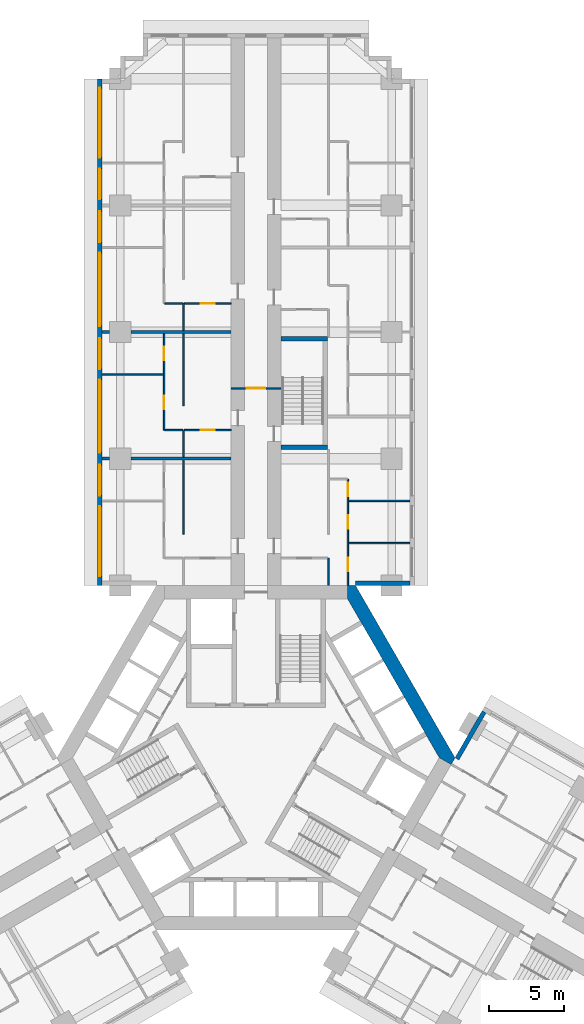
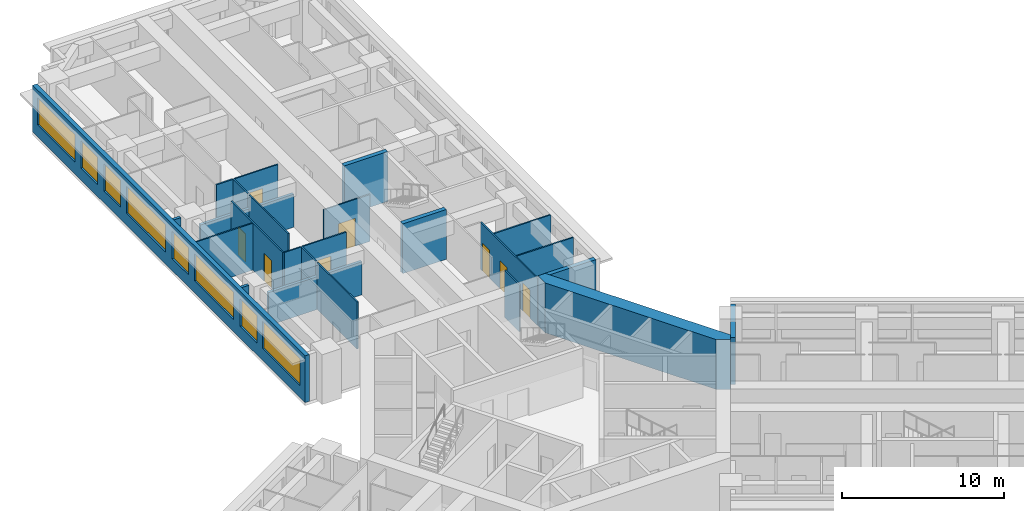
# One storey, part 9 of 16: 25 walls, 8 doors, 8 windows, 16 openings.
"""IFC4 building model written with IfcOpenShell, lengths in metres."""

from ifc_helpers import new_model, si_unit, direction, frame, frame_2d, origin, place, context, subcontext, project, spatial, polyline, rectangle, outline, extrude, material, layer, layer_set, type_object, element, fill, save


model = new_model("IFC4")

# Units and contexts
model_context = context("Model", 3, precision=1e-05, world=origin(), true_north=direction((0.0, 1.0)))
body_context = subcontext(model_context, "Body", "Model", "MODEL_VIEW")
ifc_project = project(units=[si_unit("LENGTHUNIT", "METRE"), si_unit("AREAUNIT", "SQUARE_METRE"), si_unit("VOLUMEUNIT", "CUBIC_METRE"), si_unit("PLANEANGLEUNIT", "RADIAN"), si_unit("MASSUNIT", "GRAM", prefix="KILO")], contexts=[model_context])

# Site, building, storey
site_placement = place(None, origin())
site = spatial("IfcSite", under=ifc_project, at=site_placement, CompositionType="ELEMENT")
building_placement = place(site_placement, origin())
building = spatial("IfcBuilding", under=site, at=building_placement, Name="Impinga Residences", CompositionType="ELEMENT")
storey_placement = place(building_placement, frame((0.0, 0.0, 74.75)))
storey = spatial("IfcBuildingStorey", under=building, at=storey_placement, Name="L18", CompositionType="ELEMENT", Elevation=74.75)

# Wall, opening, door
ifc_material_1 = material(Name="Concrete blockwork", Category="masonry")
ifc_layer_1 = layer(ifc_material_1, 0.10009765625)
ifc_layer_set_1 = layer_set([ifc_layer_1], Name="CP1 core room partition, blockwork 100")
wall_type_1 = type_object("IfcWallType", Name="CP1 core room partition, blockwork 100", PredefinedType="PARTITIONING", material=ifc_layer_set_1)
wall_1_placement = place(storey_placement, frame((-1.64990234375, 24.5, 0.0), z_axis=(0.0, 0.0, 1.0), x_axis=(1.0, 0.0, 0.0)))
wall_1 = element("IfcWall", 1, at=wall_1_placement, inside=storey, type_object=wall_type_1, Name="Core room partition, blockwork L18:N:SCR", PredefinedType="PARTITIONING", context=body_context, shape_type="SweptSolid", body=[
    extrude(rectangle(XDim=3.2998046875, YDim=0.10009765625, at=frame_2d((1.64990234375, 0.0))), origin(), (0.0, 0.0, 1.0), 3.530029296875),
])
opening_1_placement = place(wall_1_placement, frame((1.050048828125, 0.0, 0.0)))
opening_1 = element("IfcOpeningElement", 2, at=opening_1_placement, cuts=wall_1, Name="Opening D3", PredefinedType="OPENING", context=body_context, shape_type="SweptSolid", body=[
    extrude(rectangle(XDim=1.199951171875, YDim=2.10009765625, at=frame_2d((0.60009765625, 1.050048828125))), frame((0.0, 0.06005859375, 0.0), z_axis=(0.0, -1.0, 0.0), x_axis=(1.0, 0.0, 0.0)), (0.0, 0.0, 1.0), 0.1201171875),
])
ifc_material_2 = material(Name="Timber door set", Category="wood")
door_type_1 = type_object("IfcDoorType", Name="D3 room door, leaf and a half 1200x2100", OperationType="DOUBLE_SWING_LEFT", PredefinedType="DOOR", material=ifc_material_2)
door_1_placement = place(opening_1_placement, origin())
door_1 = element("IfcDoor", 3, at=door_1_placement, inside=storey, type_object=door_type_1, Name="Corridor smoke door N", OperationType="DOUBLE_SWING_LEFT", OverallHeight=2.10009765625, OverallWidth=1.199951171875, PredefinedType="DOOR", context=body_context, shape_type="SweptSolid", body=[
    extrude(rectangle(XDim=1.199951171875, YDim=2.10009765625, at=frame_2d((0.60009765625, 1.050048828125))), frame((0.0, 0.02490234375, 0.0), z_axis=(0.0, -1.0, 0.0), x_axis=(1.0, 0.0, 0.0)), (0.0, 0.0, 1.0), 0.050048828125),
])
fill(opening_1, door_1)

# Wall, openings, windows
ifc_material_3 = material(Name="Terracotta rainscreen on blockwork", Category="masonry")
ifc_layer_2 = layer(ifc_material_3, 0.300048828125)
ifc_layer_set_2 = layer_set([ifc_layer_2], Name="EW1 external wall, terracotta rainscreen on blockwork 300")
wall_type_2 = type_object("IfcWallType", Name="EW1 external wall, terracotta rainscreen on blockwork 300", PredefinedType="SOLIDWALL", material=ifc_layer_set_2)
wall_2_placement = place(storey_placement, frame((-10.35009765625, 11.431640625, 0.0), z_axis=(0.0, 0.0, 1.0), x_axis=(0.0, 1.0, 0.0)))
wall_2 = element("IfcWall", 4, at=wall_2_placement, inside=storey, type_object=wall_type_2, Name="External wall EW1 L18", PredefinedType="SOLIDWALL", context=body_context, shape_type="SweptSolid", body=[
    extrude(rectangle(XDim=33.599853515625, YDim=0.300048828125, at=frame_2d((16.7998046875, 0.0))), origin(), (0.0, 0.0, 1.0), 3.530029296875),
])
opening_2_placement = place(wall_2_placement, frame((0.60009765625, 0.0, 0.89990234375)))
opening_2 = element("IfcOpeningElement", 5, at=opening_2_placement, cuts=wall_2, Name="Opening W10", PredefinedType="OPENING", context=body_context, shape_type="SweptSolid", body=[
    extrude(rectangle(XDim=4.64990234375, YDim=2.050048828125, at=frame_2d((2.324951171875, 1.02490234375))), frame((0.0, 0.159912109375, 0.0), z_axis=(0.0, -1.0, 0.0), x_axis=(1.0, 0.0, 0.0)), (0.0, 0.0, 1.0), 0.320068359375),
])
opening_3_placement = place(wall_2_placement, frame((5.949951171875, 0.0, 0.89990234375)))
opening_3 = element("IfcOpeningElement", 6, at=opening_3_placement, cuts=wall_2, Name="Opening W14", PredefinedType="OPENING", context=body_context, shape_type="SweptSolid", body=[
    extrude(rectangle(XDim=2.050048828125, YDim=2.050048828125, at=frame_2d((1.02490234375, 1.02490234375))), frame((0.0, 0.159912109375, 0.0), z_axis=(0.0, -1.0, 0.0), x_axis=(1.0, 0.0, 0.0)), (0.0, 0.0, 1.0), 0.320068359375),
])
opening_4_placement = place(wall_2_placement, frame((8.800048828125, 0.0, 0.89990234375)))
opening_4 = element("IfcOpeningElement", 7, at=opening_4_placement, cuts=wall_2, Name="Opening W6", PredefinedType="OPENING", context=body_context, shape_type="SweptSolid", body=[
    extrude(rectangle(XDim=4.85009765625, YDim=2.050048828125, at=frame_2d((2.425048828125, 1.02490234375))), frame((0.0, 0.159912109375, 0.0), z_axis=(0.0, -1.0, 0.0), x_axis=(1.0, 0.0, 0.0)), (0.0, 0.0, 1.0), 0.320068359375),
])
opening_5_placement = place(wall_2_placement, frame((14.35009765625, 0.0, 0.89990234375)))
opening_5 = element("IfcOpeningElement", 8, at=opening_5_placement, cuts=wall_2, Name="Opening W14", PredefinedType="OPENING", context=body_context, shape_type="SweptSolid", body=[
    extrude(rectangle(XDim=2.050048828125, YDim=2.050048828125, at=frame_2d((1.02490234375, 1.02490234375))), frame((0.0, 0.159912109375, 0.0), z_axis=(0.0, -1.0, 0.0), x_axis=(1.0, 0.0, 0.0)), (0.0, 0.0, 1.0), 0.320068359375),
])
opening_6_placement = place(wall_2_placement, frame((17.199951171875, 0.0, 0.89990234375)))
opening_6 = element("IfcOpeningElement", 9, at=opening_6_placement, cuts=wall_2, Name="Opening W6", PredefinedType="OPENING", context=body_context, shape_type="SweptSolid", body=[
    extrude(rectangle(XDim=4.85009765625, YDim=2.050048828125, at=frame_2d((2.425048828125, 1.02490234375))), frame((0.0, 0.159912109375, 0.0), z_axis=(0.0, -1.0, 0.0), x_axis=(1.0, 0.0, 0.0)), (0.0, 0.0, 1.0), 0.320068359375),
])
opening_7_placement = place(wall_2_placement, frame((22.75, 0.0, 0.89990234375)))
opening_7 = element("IfcOpeningElement", 10, at=opening_7_placement, cuts=wall_2, Name="Opening W14", PredefinedType="OPENING", context=body_context, shape_type="SweptSolid", body=[
    extrude(rectangle(XDim=2.050048828125, YDim=2.050048828125, at=frame_2d((1.02490234375, 1.02490234375))), frame((0.0, 0.159912109375, 0.0), z_axis=(0.0, -1.0, 0.0), x_axis=(1.0, 0.0, 0.0)), (0.0, 0.0, 1.0), 0.320068359375),
])
opening_8_placement = place(wall_2_placement, frame((25.60009765625, 0.0, 0.89990234375)))
opening_8 = element("IfcOpeningElement", 11, at=opening_8_placement, cuts=wall_2, Name="Opening W14", PredefinedType="OPENING", context=body_context, shape_type="SweptSolid", body=[
    extrude(rectangle(XDim=2.050048828125, YDim=2.050048828125, at=frame_2d((1.02490234375, 1.02490234375))), frame((0.0, 0.159912109375, 0.0), z_axis=(0.0, -1.0, 0.0), x_axis=(1.0, 0.0, 0.0)), (0.0, 0.0, 1.0), 0.320068359375),
])
opening_9_placement = place(wall_2_placement, frame((28.35009765625, 0.0, 0.89990234375)))
opening_9 = element("IfcOpeningElement", 12, at=opening_9_placement, cuts=wall_2, Name="Opening W10", PredefinedType="OPENING", context=body_context, shape_type="SweptSolid", body=[
    extrude(rectangle(XDim=4.64990234375, YDim=2.050048828125, at=frame_2d((2.324951171875, 1.02490234375))), frame((0.0, 0.159912109375, 0.0), z_axis=(0.0, -1.0, 0.0), x_axis=(1.0, 0.0, 0.0)), (0.0, 0.0, 1.0), 0.320068359375),
])
ifc_material_4 = material(Name="Aluminium window, clear double glazing", Category="aluminium")
window_type_1 = type_object("IfcWindowType", Name="W10 ribbon window 4650x2050", PartitioningType="SINGLE_PANEL", PredefinedType="WINDOW", material=ifc_material_4)
window_1_placement = place(opening_2_placement, origin())
window_1 = element("IfcWindow", 13, at=window_1_placement, inside=storey, type_object=window_type_1, Name="Window L18", OverallHeight=2.050048828125, OverallWidth=4.64990234375, PartitioningType="SINGLE_PANEL", PredefinedType="WINDOW", context=body_context, shape_type="SweptSolid", body=[
    extrude(rectangle(XDim=4.64990234375, YDim=2.050048828125, at=frame_2d((2.324951171875, 1.02490234375))), frame((0.0, 0.030029296875, 0.0), z_axis=(0.0, -1.0, 0.0), x_axis=(1.0, 0.0, 0.0)), (0.0, 0.0, 1.0), 0.06005859375),
])
fill(opening_2, window_1)
window_2_placement = place(opening_9_placement, origin())
window_2 = element("IfcWindow", 14, at=window_2_placement, inside=storey, type_object=window_type_1, Name="Window L18", OverallHeight=2.050048828125, OverallWidth=4.64990234375, PartitioningType="SINGLE_PANEL", PredefinedType="WINDOW", context=body_context, shape_type="SweptSolid", body=[
    extrude(rectangle(XDim=4.64990234375, YDim=2.050048828125, at=frame_2d((2.324951171875, 1.02490234375))), frame((0.0, 0.030029296875, 0.0), z_axis=(0.0, -1.0, 0.0), x_axis=(1.0, 0.0, 0.0)), (0.0, 0.0, 1.0), 0.06005859375),
])
fill(opening_9, window_2)
window_type_2 = type_object("IfcWindowType", Name="W14 ribbon window 2050x2050", PartitioningType="SINGLE_PANEL", PredefinedType="WINDOW", material=ifc_material_4)
window_3_placement = place(opening_3_placement, origin())
window_3 = element("IfcWindow", 15, at=window_3_placement, inside=storey, type_object=window_type_2, Name="Window L18", OverallHeight=2.050048828125, OverallWidth=2.050048828125, PartitioningType="SINGLE_PANEL", PredefinedType="WINDOW", context=body_context, shape_type="SweptSolid", body=[
    extrude(rectangle(XDim=2.050048828125, YDim=2.050048828125, at=frame_2d((1.02490234375, 1.02490234375))), frame((0.0, 0.030029296875, 0.0), z_axis=(0.0, -1.0, 0.0), x_axis=(1.0, 0.0, 0.0)), (0.0, 0.0, 1.0), 0.06005859375),
])
fill(opening_3, window_3)
window_4_placement = place(opening_5_placement, origin())
window_4 = element("IfcWindow", 16, at=window_4_placement, inside=storey, type_object=window_type_2, Name="Window L18", OverallHeight=2.050048828125, OverallWidth=2.050048828125, PartitioningType="SINGLE_PANEL", PredefinedType="WINDOW", context=body_context, shape_type="SweptSolid", body=[
    extrude(rectangle(XDim=2.050048828125, YDim=2.050048828125, at=frame_2d((1.02490234375, 1.02490234375))), frame((0.0, 0.030029296875, 0.0), z_axis=(0.0, -1.0, 0.0), x_axis=(1.0, 0.0, 0.0)), (0.0, 0.0, 1.0), 0.06005859375),
])
fill(opening_5, window_4)
window_5_placement = place(opening_7_placement, origin())
window_5 = element("IfcWindow", 17, at=window_5_placement, inside=storey, type_object=window_type_2, Name="Window L18", OverallHeight=2.050048828125, OverallWidth=2.050048828125, PartitioningType="SINGLE_PANEL", PredefinedType="WINDOW", context=body_context, shape_type="SweptSolid", body=[
    extrude(rectangle(XDim=2.050048828125, YDim=2.050048828125, at=frame_2d((1.02490234375, 1.02490234375))), frame((0.0, 0.030029296875, 0.0), z_axis=(0.0, -1.0, 0.0), x_axis=(1.0, 0.0, 0.0)), (0.0, 0.0, 1.0), 0.06005859375),
])
fill(opening_7, window_5)
window_6_placement = place(opening_8_placement, origin())
window_6 = element("IfcWindow", 18, at=window_6_placement, inside=storey, type_object=window_type_2, Name="Window L18", OverallHeight=2.050048828125, OverallWidth=2.050048828125, PartitioningType="SINGLE_PANEL", PredefinedType="WINDOW", context=body_context, shape_type="SweptSolid", body=[
    extrude(rectangle(XDim=2.050048828125, YDim=2.050048828125, at=frame_2d((1.02490234375, 1.02490234375))), frame((0.0, 0.030029296875, 0.0), z_axis=(0.0, -1.0, 0.0), x_axis=(1.0, 0.0, 0.0)), (0.0, 0.0, 1.0), 0.06005859375),
])
fill(opening_8, window_6)
window_type_3 = type_object("IfcWindowType", Name="W6 ribbon window 4850x2050", PartitioningType="SINGLE_PANEL", PredefinedType="WINDOW", material=ifc_material_4)
window_7_placement = place(opening_4_placement, origin())
window_7 = element("IfcWindow", 19, at=window_7_placement, inside=storey, type_object=window_type_3, Name="Window L18", OverallHeight=2.050048828125, OverallWidth=4.85009765625, PartitioningType="SINGLE_PANEL", PredefinedType="WINDOW", context=body_context, shape_type="SweptSolid", body=[
    extrude(rectangle(XDim=4.85009765625, YDim=2.050048828125, at=frame_2d((2.425048828125, 1.02490234375))), frame((0.0, 0.030029296875, 0.0), z_axis=(0.0, -1.0, 0.0), x_axis=(1.0, 0.0, 0.0)), (0.0, 0.0, 1.0), 0.06005859375),
])
fill(opening_4, window_7)
window_8_placement = place(opening_6_placement, origin())
window_8 = element("IfcWindow", 20, at=window_8_placement, inside=storey, type_object=window_type_3, Name="Window L18", OverallHeight=2.050048828125, OverallWidth=4.85009765625, PartitioningType="SINGLE_PANEL", PredefinedType="WINDOW", context=body_context, shape_type="SweptSolid", body=[
    extrude(rectangle(XDim=4.85009765625, YDim=2.050048828125, at=frame_2d((2.425048828125, 1.02490234375))), frame((0.0, 0.030029296875, 0.0), z_axis=(0.0, -1.0, 0.0), x_axis=(1.0, 0.0, 0.0)), (0.0, 0.0, 1.0), 0.06005859375),
])
fill(opening_6, window_8)

# Walls
wall_3_placement = place(storey_placement, frame((10.199951171875, 11.58154296875, 0.0), z_axis=(0.0, 0.0, 1.0), x_axis=(-1.0, 0.0, 0.0)))
element("IfcWall", 21, at=wall_3_placement, inside=storey, type_object=wall_type_2, Name="External wall EW1 L18", PredefinedType="SOLIDWALL", context=body_context, shape_type="SweptSolid", body=[
    extrude(rectangle(XDim=3.599853515625, YDim=0.300048828125, at=frame_2d((1.7998046875, 0.0))), origin(), (0.0, 0.0, 1.0), 3.530029296875),
])
wall_4_placement = place(storey_placement, frame((13.329833984375, -0.074951171875, 0.0), z_axis=(0.0, 0.0, 1.0), x_axis=(0.500012057535, 0.866018442252, 0.0)))
element("IfcWall", 22, at=wall_4_placement, inside=storey, type_object=wall_type_2, Name="External wall EW1 L18", PredefinedType="SOLIDWALL", context=body_context, shape_type="SweptSolid", body=[
    extrude(rectangle(XDim=3.60009765625, YDim=0.300048828125, at=frame_2d((1.800048828125, 0.0))), origin(), (0.0, 0.0, 1.0), 3.530029296875),
])
ifc_material_5 = material(Name="Gypsum board on steel studs", Category="steel")
ifc_layer_3 = layer(ifc_material_5, 0.10009765625)
ifc_layer_set_3 = layer_set([ifc_layer_3], Name="Gypsum board on steel studs")
wall_type_3 = type_object("IfcWallType", Name="IP1 partition 100", PredefinedType="PARTITIONING", material=ifc_layer_set_3)
wall_5_placement = place(storey_placement, frame((-4.800048828125, 14.83154296875, 0.0), z_axis=(0.0, 0.0, 1.0), x_axis=(0.0, 1.0, 0.0)))
element("IfcWall", 23, at=wall_5_placement, inside=storey, type_object=wall_type_3, Name="Partition L18-NA1:DIV1", PredefinedType="PARTITIONING", context=body_context, shape_type="SweptSolid", body=[
    extrude(rectangle(XDim=4.89990234375, YDim=0.10009765625, at=frame_2d((2.449951171875, 0.0))), origin(), (0.0, 0.0, 1.0), 3.530029296875),
])
wall_6_placement = place(storey_placement, frame((-4.800048828125, 19.931640625, 0.0), z_axis=(0.0, 0.0, 1.0), x_axis=(0.0, 1.0, 0.0)))
element("IfcWall", 24, at=wall_6_placement, inside=storey, type_object=wall_type_3, Name="Partition L18-NA2:DIV0", PredefinedType="PARTITIONING", context=body_context, shape_type="SweptSolid", body=[
    extrude(rectangle(XDim=1.7998046875, YDim=0.10009765625, at=frame_2d((0.89990234375, 0.0))), origin(), (0.0, 0.0, 1.0), 3.530029296875),
])
wall_7_placement = place(storey_placement, frame((-4.800048828125, 23.33154296875, 0.0), z_axis=(0.0, 0.0, 1.0), x_axis=(0.0, 1.0, 0.0)))
element("IfcWall", 25, at=wall_7_placement, inside=storey, type_object=wall_type_3, Name="Partition L18-NA2:DIV1", PredefinedType="PARTITIONING", context=body_context, shape_type="SweptSolid", body=[
    extrude(rectangle(XDim=4.800048828125, YDim=0.10009765625, at=frame_2d((2.39990234375, 0.0))), origin(), (0.0, 0.0, 1.0), 3.530029296875),
])

# Wall, openings, doors
wall_8_placement = place(storey_placement, frame((-6.10009765625, 21.7314453125, 0.0), z_axis=(0.0, 0.0, 1.0), x_axis=(0.0, 1.0, 0.0)))
wall_8 = element("IfcWall", 26, at=wall_8_placement, inside=storey, type_object=wall_type_3, Name="Partition L18-NA2:STRIP", PredefinedType="PARTITIONING", context=body_context, shape_type="SweptSolid", body=[
    extrude(rectangle(XDim=6.400146484375, YDim=0.10009765625, at=frame_2d((3.2001953125, 0.0))), origin(), (0.0, 0.0, 1.0), 3.530029296875),
])
opening_10_placement = place(wall_8_placement, frame((1.375, 0.0, 0.0)))
opening_10 = element("IfcOpeningElement", 27, at=opening_10_placement, cuts=wall_8, Name="Opening D2", PredefinedType="OPENING", context=body_context, shape_type="SweptSolid", body=[
    extrude(rectangle(XDim=0.89990234375, YDim=2.10009765625, at=frame_2d((0.449951171875, 1.050048828125))), frame((0.0, 0.06005859375, 0.0), z_axis=(0.0, -1.0, 0.0), x_axis=(1.0, 0.0, 0.0)), (0.0, 0.0, 1.0), 0.1201171875),
])
opening_11_placement = place(wall_8_placement, frame((4.625, 0.0, 0.0)))
opening_11 = element("IfcOpeningElement", 28, at=opening_11_placement, cuts=wall_8, Name="Opening D2", PredefinedType="OPENING", context=body_context, shape_type="SweptSolid", body=[
    extrude(rectangle(XDim=0.89990234375, YDim=2.10009765625, at=frame_2d((0.449951171875, 1.050048828125))), frame((0.0, 0.06005859375, 0.0), z_axis=(0.0, -1.0, 0.0), x_axis=(1.0, 0.0, 0.0)), (0.0, 0.0, 1.0), 0.1201171875),
])
door_type_2 = type_object("IfcDoorType", Name="D2 internal door 900x2100", OperationType="SINGLE_SWING_LEFT", PredefinedType="DOOR", material=ifc_material_2)
door_2_placement = place(opening_10_placement, origin())
door_2 = element("IfcDoor", 29, at=door_2_placement, inside=storey, type_object=door_type_2, Name="Apartment L18-NA2 room door", OperationType="SINGLE_SWING_LEFT", OverallHeight=2.10009765625, OverallWidth=0.89990234375, PredefinedType="DOOR", context=body_context, shape_type="SweptSolid", body=[
    extrude(rectangle(XDim=0.89990234375, YDim=2.10009765625, at=frame_2d((0.449951171875, 1.050048828125))), frame((0.0, 0.02490234375, 0.0), z_axis=(0.0, -1.0, 0.0), x_axis=(1.0, 0.0, 0.0)), (0.0, 0.0, 1.0), 0.050048828125),
])
fill(opening_10, door_2)
door_3_placement = place(opening_11_placement, origin())
door_3 = element("IfcDoor", 30, at=door_3_placement, inside=storey, type_object=door_type_2, Name="Apartment L18-NA2 room door", OperationType="SINGLE_SWING_RIGHT", OverallHeight=2.10009765625, OverallWidth=0.89990234375, PredefinedType="DOOR", context=body_context, shape_type="SweptSolid", body=[
    extrude(rectangle(XDim=0.89990234375, YDim=2.10009765625, at=frame_2d((0.449951171875, 1.050048828125))), frame((0.0, 0.02490234375, 0.0), z_axis=(0.0, -1.0, 0.0), x_axis=(1.0, 0.0, 0.0)), (0.0, 0.0, 1.0), 0.050048828125),
])
fill(opening_11, door_3)

# Wall
wall_9_placement = place(storey_placement, frame((-4.85009765625, 21.7314453125, 0.0), z_axis=(0.0, 0.0, 1.0), x_axis=(-1.0, 0.0, 0.0)))
element("IfcWall", 31, at=wall_9_placement, inside=storey, type_object=wall_type_3, Name="Partition L18-NA2:SE0", PredefinedType="PARTITIONING", context=body_context, shape_type="SweptSolid", body=[
    extrude(rectangle(XDim=1.199951171875, YDim=0.10009765625, at=frame_2d((0.60009765625, 0.0))), origin(), (0.0, 0.0, 1.0), 3.530029296875),
])

# Wall, opening, door
wall_10_placement = place(storey_placement, frame((-1.64990234375, 21.7314453125, 0.0), z_axis=(0.0, 0.0, 1.0), x_axis=(-1.0, 0.0, 0.0)))
wall_10 = element("IfcWall", 32, at=wall_10_placement, inside=storey, type_object=wall_type_3, Name="Partition L18-NA2:IB1", PredefinedType="PARTITIONING", context=body_context, shape_type="SweptSolid", body=[
    extrude(rectangle(XDim=3.10009765625, YDim=0.10009765625, at=frame_2d((1.550048828125, 0.0))), origin(), (0.0, 0.0, 1.0), 3.530029296875),
])
opening_12_placement = place(wall_10_placement, frame((1.10009765625, 0.0, 0.0)))
opening_12 = element("IfcOpeningElement", 33, at=opening_12_placement, cuts=wall_10, Name="Opening D2", PredefinedType="OPENING", context=body_context, shape_type="SweptSolid", body=[
    extrude(rectangle(XDim=0.89990234375, YDim=2.10009765625, at=frame_2d((0.449951171875, 1.050048828125))), frame((0.0, 0.06005859375, 0.0), z_axis=(0.0, -1.0, 0.0), x_axis=(1.0, 0.0, 0.0)), (0.0, 0.0, 1.0), 0.1201171875),
])
door_4_placement = place(opening_12_placement, origin())
door_4 = element("IfcDoor", 34, at=door_4_placement, inside=storey, type_object=door_type_2, Name="Apartment L18-NA2 bathroom door", OperationType="SINGLE_SWING_LEFT", OverallHeight=2.10009765625, OverallWidth=0.89990234375, PredefinedType="DOOR", context=body_context, shape_type="SweptSolid", body=[
    extrude(rectangle(XDim=0.89990234375, YDim=2.10009765625, at=frame_2d((0.449951171875, 1.050048828125))), frame((0.0, 0.02490234375, 0.0), z_axis=(0.0, -1.0, 0.0), x_axis=(1.0, 0.0, 0.0)), (0.0, 0.0, 1.0), 0.050048828125),
])
fill(opening_12, door_4)

# Walls
wall_11_placement = place(storey_placement, frame((-6.14990234375, 25.431640625, 0.0), z_axis=(0.0, 0.0, 1.0), x_axis=(-1.0, 0.0, 0.0)))
element("IfcWall", 35, at=wall_11_placement, inside=storey, type_object=wall_type_3, Name="Partition L18-NA2:OB1", PredefinedType="PARTITIONING", context=body_context, shape_type="SweptSolid", body=[
    extrude(rectangle(XDim=4.050048828125, YDim=0.10009765625, at=frame_2d((2.02490234375, 0.0))), origin(), (0.0, 0.0, 1.0), 3.530029296875),
])
wall_12_placement = place(storey_placement, frame((-4.800048828125, 28.33154296875, 0.0), z_axis=(0.0, 0.0, 1.0), x_axis=(0.0, 1.0, 0.0)))
element("IfcWall", 36, at=wall_12_placement, inside=storey, type_object=wall_type_3, Name="Partition L18-NA3:DIV0", PredefinedType="PARTITIONING", context=body_context, shape_type="SweptSolid", body=[
    extrude(rectangle(XDim=1.800048828125, YDim=0.10009765625, at=frame_2d((0.89990234375, 0.0))), origin(), (0.0, 0.0, 1.0), 3.530029296875),
])
wall_13_placement = place(storey_placement, frame((-4.85009765625, 30.131591796875, 0.0), z_axis=(0.0, 0.0, 1.0), x_axis=(-1.0, 0.0, 0.0)))
element("IfcWall", 37, at=wall_13_placement, inside=storey, type_object=wall_type_3, Name="Partition L18-NA3:SE0", PredefinedType="PARTITIONING", context=body_context, shape_type="SweptSolid", body=[
    extrude(rectangle(XDim=1.199951171875, YDim=0.10009765625, at=frame_2d((0.60009765625, 0.0))), origin(), (0.0, 0.0, 1.0), 3.530029296875),
])

# Wall, opening, door
wall_14_placement = place(storey_placement, frame((-1.64990234375, 30.131591796875, 0.0), z_axis=(0.0, 0.0, 1.0), x_axis=(-1.0, 0.0, 0.0)))
wall_14 = element("IfcWall", 38, at=wall_14_placement, inside=storey, type_object=wall_type_3, Name="Partition L18-NA3:IB1", PredefinedType="PARTITIONING", context=body_context, shape_type="SweptSolid", body=[
    extrude(rectangle(XDim=3.10009765625, YDim=0.10009765625, at=frame_2d((1.550048828125, 0.0))), origin(), (0.0, 0.0, 1.0), 3.530029296875),
])
opening_13_placement = place(wall_14_placement, frame((1.10009765625, 0.0, 0.0)))
opening_13 = element("IfcOpeningElement", 39, at=opening_13_placement, cuts=wall_14, Name="Opening D2", PredefinedType="OPENING", context=body_context, shape_type="SweptSolid", body=[
    extrude(rectangle(XDim=0.89990234375, YDim=2.10009765625, at=frame_2d((0.449951171875, 1.050048828125))), frame((0.0, 0.06005859375, 0.0), z_axis=(0.0, -1.0, 0.0), x_axis=(1.0, 0.0, 0.0)), (0.0, 0.0, 1.0), 0.1201171875),
])
door_5_placement = place(opening_13_placement, origin())
door_5 = element("IfcDoor", 40, at=door_5_placement, inside=storey, type_object=door_type_2, Name="Apartment L18-NA3 bathroom door", OperationType="SINGLE_SWING_LEFT", OverallHeight=2.10009765625, OverallWidth=0.89990234375, PredefinedType="DOOR", context=body_context, shape_type="SweptSolid", body=[
    extrude(rectangle(XDim=0.89990234375, YDim=2.10009765625, at=frame_2d((0.449951171875, 1.050048828125))), frame((0.0, 0.02490234375, 0.0), z_axis=(0.0, -1.0, 0.0), x_axis=(1.0, 0.0, 0.0)), (0.0, 0.0, 1.0), 0.050048828125),
])
fill(opening_13, door_5)

# Wall
wall_15_placement = place(storey_placement, frame((4.800048828125, 11.431640625, 0.0), z_axis=(0.0, 0.0, 1.0), x_axis=(0.0, 1.0, 0.0)))
element("IfcWall", 41, at=wall_15_placement, inside=storey, type_object=wall_type_3, Name="Partition L18-NF1:DIV0", PredefinedType="PARTITIONING", context=body_context, shape_type="SweptSolid", body=[
    extrude(rectangle(XDim=1.7998046875, YDim=0.10009765625, at=frame_2d((0.89990234375, 0.0))), origin(), (0.0, 0.0, 1.0), 3.530029296875),
])

# Wall, openings, doors
wall_16_placement = place(storey_placement, frame((6.10009765625, 11.431640625, 0.0), z_axis=(0.0, 0.0, 1.0), x_axis=(0.0, 1.0, 0.0)))
wall_16 = element("IfcWall", 42, at=wall_16_placement, inside=storey, type_object=wall_type_3, Name="Partition L18-NF1:STRIP", PredefinedType="PARTITIONING", context=body_context, shape_type="SweptSolid", body=[
    extrude(rectangle(XDim=7.0498046875, YDim=0.10009765625, at=frame_2d((3.52490234375, 0.0))), origin(), (0.0, 0.0, 1.0), 3.530029296875),
])
opening_14_placement = place(wall_16_placement, frame((0.925048828125, 0.0, 0.0)))
opening_14 = element("IfcOpeningElement", 43, at=opening_14_placement, cuts=wall_16, Name="Opening D2", PredefinedType="OPENING", context=body_context, shape_type="SweptSolid", body=[
    extrude(rectangle(XDim=0.89990234375, YDim=2.10009765625, at=frame_2d((0.449951171875, 1.050048828125))), frame((0.0, 0.06005859375, 0.0), z_axis=(0.0, -1.0, 0.0), x_axis=(1.0, 0.0, 0.0)), (0.0, 0.0, 1.0), 0.1201171875),
])
opening_15_placement = place(wall_16_placement, frame((3.75, 0.0, 0.0)))
opening_15 = element("IfcOpeningElement", 44, at=opening_15_placement, cuts=wall_16, Name="Opening D2", PredefinedType="OPENING", context=body_context, shape_type="SweptSolid", body=[
    extrude(rectangle(XDim=0.89990234375, YDim=2.10009765625, at=frame_2d((0.449951171875, 1.050048828125))), frame((0.0, 0.06005859375, 0.0), z_axis=(0.0, -1.0, 0.0), x_axis=(1.0, 0.0, 0.0)), (0.0, 0.0, 1.0), 0.1201171875),
])
opening_16_placement = place(wall_16_placement, frame((5.89990234375, 0.0, 0.0)))
opening_16 = element("IfcOpeningElement", 45, at=opening_16_placement, cuts=wall_16, Name="Opening D2", PredefinedType="OPENING", context=body_context, shape_type="SweptSolid", body=[
    extrude(rectangle(XDim=0.89990234375, YDim=2.10009765625, at=frame_2d((0.449951171875, 1.050048828125))), frame((0.0, 0.06005859375, 0.0), z_axis=(0.0, -1.0, 0.0), x_axis=(1.0, 0.0, 0.0)), (0.0, 0.0, 1.0), 0.1201171875),
])
door_6_placement = place(opening_14_placement, origin())
door_6 = element("IfcDoor", 46, at=door_6_placement, inside=storey, type_object=door_type_2, Name="Apartment L18-NF1 room door", OperationType="SINGLE_SWING_LEFT", OverallHeight=2.10009765625, OverallWidth=0.89990234375, PredefinedType="DOOR", context=body_context, shape_type="SweptSolid", body=[
    extrude(rectangle(XDim=0.89990234375, YDim=2.10009765625, at=frame_2d((0.449951171875, 1.050048828125))), frame((0.0, 0.02490234375, 0.0), z_axis=(0.0, -1.0, 0.0), x_axis=(1.0, 0.0, 0.0)), (0.0, 0.0, 1.0), 0.050048828125),
])
fill(opening_14, door_6)
door_7_placement = place(opening_15_placement, origin())
door_7 = element("IfcDoor", 47, at=door_7_placement, inside=storey, type_object=door_type_2, Name="Apartment L18-NF1 room door", OperationType="SINGLE_SWING_RIGHT", OverallHeight=2.10009765625, OverallWidth=0.89990234375, PredefinedType="DOOR", context=body_context, shape_type="SweptSolid", body=[
    extrude(rectangle(XDim=0.89990234375, YDim=2.10009765625, at=frame_2d((0.449951171875, 1.050048828125))), frame((0.0, 0.02490234375, 0.0), z_axis=(0.0, -1.0, 0.0), x_axis=(1.0, 0.0, 0.0)), (0.0, 0.0, 1.0), 0.050048828125),
])
fill(opening_15, door_7)
door_8_placement = place(opening_16_placement, origin())
door_8 = element("IfcDoor", 48, at=door_8_placement, inside=storey, type_object=door_type_2, Name="Apartment L18-NF1 room door", OperationType="SINGLE_SWING_RIGHT", OverallHeight=2.10009765625, OverallWidth=0.89990234375, PredefinedType="DOOR", context=body_context, shape_type="SweptSolid", body=[
    extrude(rectangle(XDim=0.89990234375, YDim=2.10009765625, at=frame_2d((0.449951171875, 1.050048828125))), frame((0.0, 0.02490234375, 0.0), z_axis=(0.0, -1.0, 0.0), x_axis=(1.0, 0.0, 0.0)), (0.0, 0.0, 1.0), 0.050048828125),
])
fill(opening_16, door_8)

# Walls
for number, where, z_axis, x_axis, name in (
    (49, (6.14990234375, 14.2314453125, 0.0), (0.0, 0.0, 1.0), (1.0, 0.0, 0.0), "Partition L18-NF1:OB1"),
    (50, (6.14990234375, 17.031494140625, 0.0), (0.0, 0.0, 1.0), (1.0, 0.0, 0.0), "Partition L18-NF1:OB2"),
):
    element("IfcWall", number, at=place(storey_placement, frame(where, z_axis=z_axis, x_axis=x_axis)), inside=storey, type_object=wall_type_3, Name=name, PredefinedType="PARTITIONING", context=body_context, shape_type="SweptSolid", body=[
        extrude(rectangle(XDim=4.050048828125, YDim=0.10009765625, at=frame_2d((2.02490234375, 0.0))), origin(), (0.0, 0.0, 1.0), 3.530029296875),
    ])
ifc_layer_4 = layer(ifc_material_1, 0.199951171875)
ifc_layer_set_4 = layer_set([ifc_layer_4], Name="PW1 party wall between apartments 200")
wall_type_4 = type_object("IfcWallType", Name="PW1 party wall between apartments 200", PredefinedType="SOLIDWALL", material=ifc_layer_set_4)
wall_17_placement = place(storey_placement, frame((-1.64990234375, 19.83154296875, 0.0), z_axis=(0.0, 0.0, 1.0), x_axis=(-1.0, 0.0, 0.0)))
element("IfcWall", 51, at=wall_17_placement, inside=storey, type_object=wall_type_4, Name="Party wall between apartments L18-NA1:PARTY", PredefinedType="SOLIDWALL", context=body_context, shape_type="SweptSolid", body=[
    extrude(rectangle(XDim=6.650146484375, YDim=0.199951171875, at=frame_2d((3.3251953125, 0.0))), origin(), (0.0, 0.0, 1.0), 2.47998046875),
])
wall_18_placement = place(storey_placement, frame((-9.699951171875, 19.83154296875, 0.0), z_axis=(0.0, 0.0, 1.0), x_axis=(-1.0, 0.0, 0.0)))
element("IfcWall", 52, at=wall_18_placement, inside=storey, type_object=wall_type_4, Name="Party wall between apartments L18-NA1:PARTYb", PredefinedType="SOLIDWALL", context=body_context, shape_type="SweptSolid", body=[
    extrude(rectangle(XDim=0.5, YDim=0.199951171875, at=frame_2d((0.25, 0.0))), origin(), (0.0, 0.0, 1.0), 3.530029296875),
])
wall_19_placement = place(storey_placement, frame((-1.64990234375, 28.2314453125, 0.0), z_axis=(0.0, 0.0, 1.0), x_axis=(-1.0, 0.0, 0.0)))
element("IfcWall", 53, at=wall_19_placement, inside=storey, type_object=wall_type_4, Name="Party wall between apartments L18-NA2:PARTY", PredefinedType="SOLIDWALL", context=body_context, shape_type="SweptSolid", body=[
    extrude(rectangle(XDim=6.650146484375, YDim=0.199951171875, at=frame_2d((3.3251953125, 0.0))), origin(), (0.0, 0.0, 1.0), 2.47998046875),
])
wall_20_placement = place(storey_placement, frame((-9.699951171875, 28.2314453125, 0.0), z_axis=(0.0, 0.0, 1.0), x_axis=(-1.0, 0.0, 0.0)))
element("IfcWall", 54, at=wall_20_placement, inside=storey, type_object=wall_type_4, Name="Party wall between apartments L18-NA2:PARTYb", PredefinedType="SOLIDWALL", context=body_context, shape_type="SweptSolid", body=[
    extrude(rectangle(XDim=0.5, YDim=0.199951171875, at=frame_2d((0.25, 0.0))), origin(), (0.0, 0.0, 1.0), 3.530029296875),
])
ifc_material_6 = material(Name="Concrete C60/75", Category="concrete")
ifc_layer_5 = layer(ifc_material_6, 0.300048828125)
ifc_layer_set_5 = layer_set([ifc_layer_5], Name="Concrete C60/75")
wall_type_5 = type_object("IfcWallType", Name="SE1 wing stair enclosure wall 300", PredefinedType="SOLIDWALL", material=ifc_layer_set_5)
for number, where, z_axis, x_axis, name in (
    (55, (1.64990234375, 20.58154296875, 0.0), (0.0, 0.0, 1.0), (1.0, 0.0, 0.0), "Stair enclosure wall SE1 N END0 L18"),
    (56, (1.64990234375, 27.781494140625, 0.0), (0.0, 0.0, 1.0), (1.0, 0.0, 0.0), "Stair enclosure wall SE1 N END1 L18"),
):
    element("IfcWall", number, at=place(storey_placement, frame(where, z_axis=z_axis, x_axis=x_axis)), inside=storey, type_object=wall_type_5, Name=name, PredefinedType="SOLIDWALL", context=body_context, shape_type="SweptSolid", body=[
        extrude(rectangle(XDim=3.10009765625, YDim=0.300048828125, at=frame_2d((1.550048828125, 0.0))), origin(), (0.0, 0.0, 1.0), 3.75),
    ])
ifc_material_7 = material(Name="Concrete C70/85", Category="concrete")
ifc_layer_6 = layer(ifc_material_7, 0.89990234375)
ifc_layer_set_6 = layer_set([ifc_layer_6], Name="Concrete C70/85")
wall_type_6 = type_object("IfcWallType", Name="SW1 core wall 900", PredefinedType="SHEAR", material=ifc_layer_set_6)
wall_21_placement = place(storey_placement, origin())
element("IfcWall", 57, at=wall_21_placement, inside=storey, type_object=wall_type_6, Name="Core wall SW1 W:EXPOSED L18", PredefinedType="SHEAR", context=body_context, shape_type="SweptSolid", body=[
    extrude(outline(polyline([(13.199951171875, 0.0), (6.60009765625, 11.431640625), (6.080322265625, 11.431640625), (6.080322265625, 10.531494140625), (12.160888671875, 0.0), (12.940185546875, -0.449951171875), (13.199951171875, 0.0)])), origin(), (0.0, 0.0, 1.0), 3.75),
])

save(model, "model.ifc")
